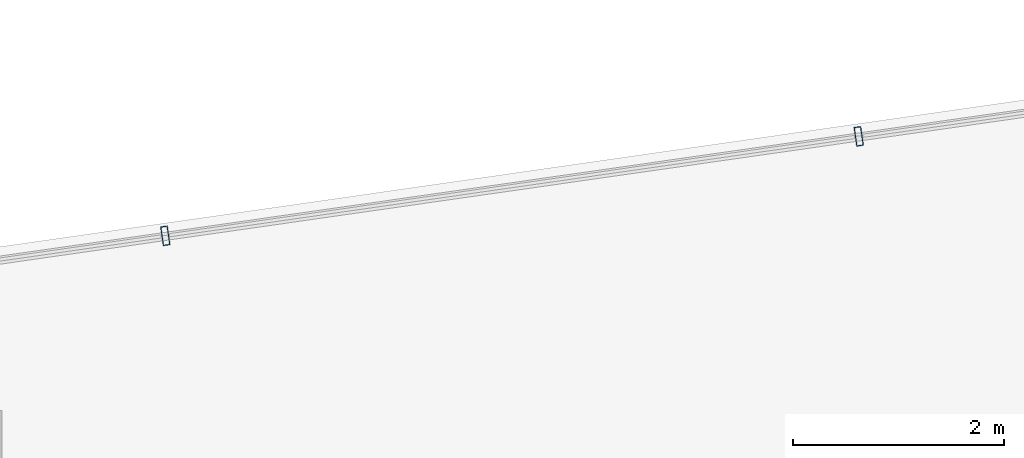
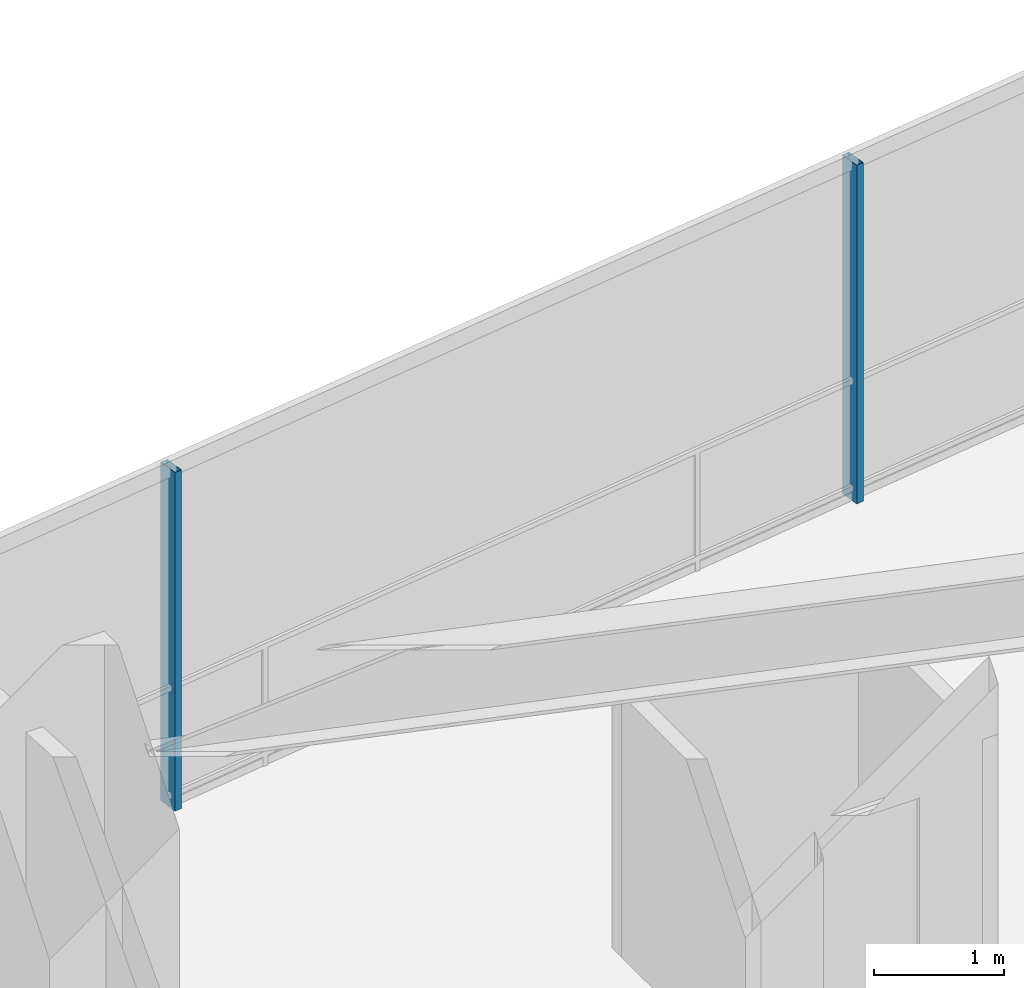
# One storey, part 20 of 29: 2 members, 1 element without a shape of its own.
"""IFC4 building model written with IfcOpenShell, lengths in metres."""

from ifc_helpers import new_model, si_unit, direction, frame, origin, origin_2d, place, context, subcontext, project, spatial, hollow_rectangle, extrude, material, layer, layer_set, material_profile, profile_set, type_object, element, aggregate, save


model = new_model("IFC4")

# Units and contexts
model_context = context("Model", 3, precision=1e-05, world=origin(), true_north=direction((0.0, 1.0)))
body_context = subcontext(model_context, "Body", "Model", "MODEL_VIEW")
ifc_project = project(units=[si_unit("LENGTHUNIT", "METRE"), si_unit("AREAUNIT", "SQUARE_METRE"), si_unit("VOLUMEUNIT", "CUBIC_METRE"), si_unit("PLANEANGLEUNIT", "RADIAN"), si_unit("MASSUNIT", "GRAM", prefix="KILO")], contexts=[model_context])

# Site, building, storey
site_placement = place(None, origin())
site = spatial("IfcSite", under=ifc_project, at=site_placement, CompositionType="ELEMENT")
building_placement = place(site_placement, origin())
building = spatial("IfcBuilding", under=site, at=building_placement, Name="Qarnah Convention Tower", CompositionType="ELEMENT")
storey_placement = place(building_placement, frame((0.0, 0.0, 97.050048828125)))
storey = spatial("IfcBuildingStorey", under=building, at=storey_placement, Name="L25", CompositionType="ELEMENT", Elevation=97.050048828125)

# Curtain wall, members
ifc_material_1 = material(Name="Tempered Low-E dark glass", Category="glass")
ifc_layer = layer(ifc_material_1, 0.169921875)
ifc_layer_set = layer_set([ifc_layer], Name="Tempered Low-E dark glass")
curtain_wall_type = type_object("IfcCurtainWallType", Name="CWS-02", PredefinedType="NOTDEFINED", material=ifc_layer_set)
curtain_wall_placement = place(storey_placement, origin())
curtain_wall = element("IfcCurtainWall", 1, at=curtain_wall_placement, inside=storey, type_object=curtain_wall_type, Name="L25 unitised curtain wall CW-L25-F1", PredefinedType="NOTDEFINED")
ifc_material_2 = material(Name="Black anodised aluminium", Category="aluminium")
ifc_material_profile = material_profile(ifc_material_2, hollow_rectangle(XDim=0.06494140625, YDim=0.179931640625, WallThickness=0.00390625, at=origin_2d()), Name="MUL-65X180")
ifc_profile_set = profile_set([ifc_material_profile], Name="Black anodised aluminium")
member_type = type_object("IfcMemberType", Name="MUL-T2", PredefinedType="MULLION", material=ifc_profile_set)
member_1_placement = place(storey_placement, frame((38.777587890625, 44.2724609375, 0.0), z_axis=(0.0, 0.0, 1.0), x_axis=(0.989875972225, 0.141935054203, 0.0)))
member_1 = element("IfcMember", 2, at=member_1_placement, type_object=member_type, Name="CW-L25-F1 mullion 4", PredefinedType="MULLION", context=body_context, shape_type="SweptSolid", body=[
    extrude(hollow_rectangle(XDim=0.06494140625, YDim=0.179931640625, WallThickness=0.00390625, at=origin_2d()), origin(), (0.0, 0.0, 1.0), 3.169921875),
])
member_2_placement = place(storey_placement, frame((45.35986328125, 45.21630859375, 0.0), z_axis=(0.0, 0.0, 1.0), x_axis=(0.989875972225, 0.141935054203, 0.0)))
member_2 = element("IfcMember", 3, at=member_2_placement, type_object=member_type, Name="CW-L25-F1 mullion 5", PredefinedType="MULLION", context=body_context, shape_type="SweptSolid", body=[
    extrude(hollow_rectangle(XDim=0.06494140625, YDim=0.179931640625, WallThickness=0.00390625, at=origin_2d()), origin(), (0.0, 0.0, 1.0), 3.169921875),
])
aggregate(curtain_wall, [member_1, member_2])

save(model, "model.ifc")
